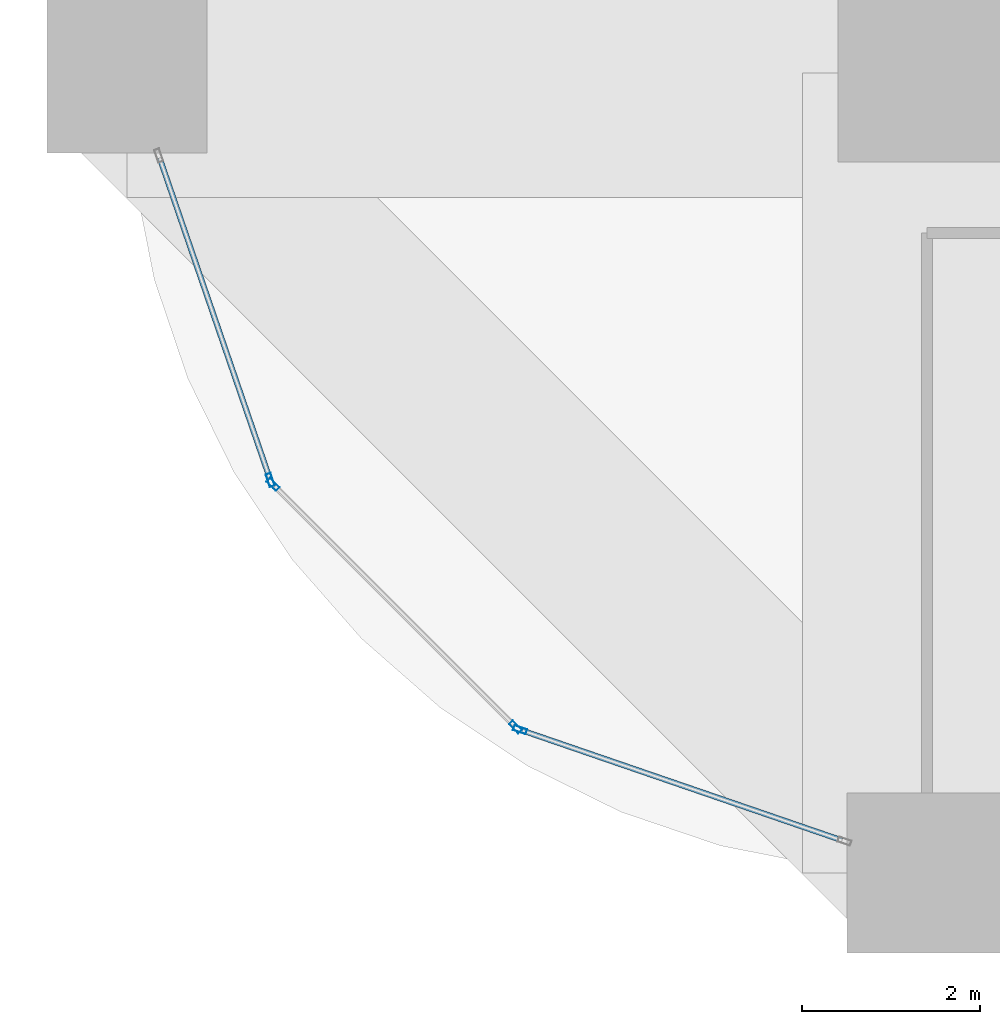
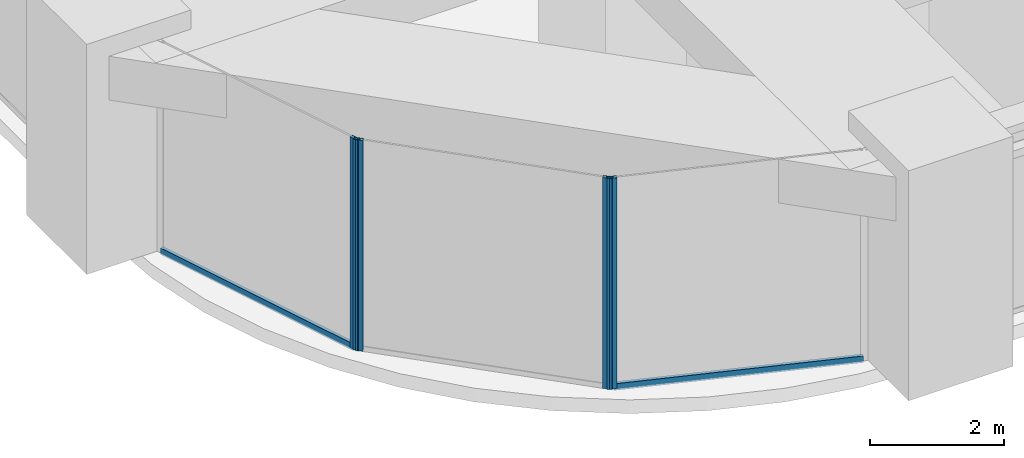
# One storey, part 2 of 45: 6 members, 3 elements without a shape of their own.
"""IFC4 building model written with IfcOpenShell, lengths in metres."""

from ifc_helpers import new_model, si_unit, direction, frame, origin, origin_2d, place, context, subcontext, project, spatial, hollow_rectangle, extrude, material, material_profile, profile_set, type_object, element, aggregate, save


model = new_model("IFC4")

# Units and contexts
model_context = context("Model", 3, precision=1e-05, world=origin(), true_north=direction((0.0, 1.0)))
body_context = subcontext(model_context, "Body", "Model", "MODEL_VIEW")
ifc_project = project(units=[si_unit("LENGTHUNIT", "METRE"), si_unit("AREAUNIT", "SQUARE_METRE"), si_unit("VOLUMEUNIT", "CUBIC_METRE"), si_unit("PLANEANGLEUNIT", "RADIAN"), si_unit("MASSUNIT", "GRAM", prefix="KILO")], contexts=[model_context])

# Site, building, storey
site_placement = place(None, origin())
site = spatial("IfcSite", under=ifc_project, at=site_placement, CompositionType="ELEMENT")
building_placement = place(site_placement, origin())
building = spatial("IfcBuilding", under=site, at=building_placement, Name="Zorevar Civic Tower", CompositionType="ELEMENT")
storey_placement = place(building_placement, frame((0.0, 0.0, 153.0)))
storey = spatial("IfcBuildingStorey", under=building, at=storey_placement, Name="L37", CompositionType="ELEMENT", Elevation=153.0)

# Curtain wall, member
ifc_material_1 = material(Name="Dark grey solar-control glass in black aluminium frame", Category="aluminium")
curtain_wall_type = type_object("IfcCurtainWallType", Name="Curtain wall CW3 mid zone", PredefinedType="NOTDEFINED", material=ifc_material_1)
curtain_wall_1_placement = place(storey_placement, origin())
curtain_wall_1 = element("IfcCurtainWall", 1, at=curtain_wall_1_placement, inside=storey, type_object=curtain_wall_type, Name="CW3 L37", PredefinedType="NOTDEFINED")
ifc_material_2 = material(Name="Aluminium, black anodised", Category="aluminium")
ifc_material_profile_1 = material_profile(ifc_material_2, hollow_rectangle(XDim=0.06005859375, YDim=0.14990234375, WallThickness=0.00390625, at=origin_2d()), Name="AL 150x60x4")
ifc_profile_set_1 = profile_set([ifc_material_profile_1], Name="Aluminium, black anodised")
member_type_1 = type_object("IfcMemberType", Name="CW3 mullion AL 150x60x4", PredefinedType="MULLION", material=ifc_profile_set_1)
member_1_placement = place(storey_placement, frame((1.610595703125, 4.420654296875, 0.0), z_axis=(0.0, 0.0, 1.0), x_axis=(0.945755772794, 0.324878466857, 0.0)))
member_1 = element("IfcMember", 2, at=member_1_placement, type_object=member_type_1, Name="CW3 mullion 2", PredefinedType="MULLION", context=body_context, shape_type="SweptSolid", body=[
    extrude(hollow_rectangle(XDim=0.06005859375, YDim=0.14990234375, WallThickness=0.00390625, at=origin_2d()), origin(), (0.0, 0.0, 1.0), 3.85009765625),
])

# Curtain wall, members
curtain_wall_2_placement = place(storey_placement, origin())
curtain_wall_2 = element("IfcCurtainWall", 3, at=curtain_wall_2_placement, inside=storey, type_object=curtain_wall_type, Name="CW3 L37", PredefinedType="NOTDEFINED")
member_2_placement = place(storey_placement, frame((1.6416015625, 4.37109375, 0.0), z_axis=(0.0, 0.0, 1.0), x_axis=(0.707106781187, 0.707106781187, 0.0)))
member_2 = element("IfcMember", 4, at=member_2_placement, type_object=member_type_1, Name="CW3 mullion 1", PredefinedType="MULLION", context=body_context, shape_type="SweptSolid", body=[
    extrude(hollow_rectangle(XDim=0.06005859375, YDim=0.14990234375, WallThickness=0.00390625, at=origin_2d()), origin(), (0.0, 0.0, 1.0), 3.85009765625),
])
member_3_placement = place(storey_placement, frame((4.37109375, 1.6416015625, 0.0), z_axis=(0.0, 0.0, 1.0), x_axis=(0.707106781187, 0.707106781187, 0.0)))
member_3 = element("IfcMember", 5, at=member_3_placement, type_object=member_type_1, Name="CW3 mullion 2", PredefinedType="MULLION", context=body_context, shape_type="SweptSolid", body=[
    extrude(hollow_rectangle(XDim=0.06005859375, YDim=0.14990234375, WallThickness=0.00390625, at=origin_2d()), origin(), (0.0, 0.0, 1.0), 3.85009765625),
])
aggregate(curtain_wall_2, [member_2, member_3])

# Curtain wall, member
curtain_wall_3_placement = place(storey_placement, origin())
curtain_wall_3 = element("IfcCurtainWall", 6, at=curtain_wall_3_placement, inside=storey, type_object=curtain_wall_type, Name="CW3 L37", PredefinedType="NOTDEFINED")
member_4_placement = place(storey_placement, frame((4.420654296875, 1.610595703125, 0.0), z_axis=(0.0, 0.0, 1.0), x_axis=(0.324878466857, 0.945755772794, 0.0)))
member_4 = element("IfcMember", 7, at=member_4_placement, type_object=member_type_1, Name="CW3 mullion 1", PredefinedType="MULLION", context=body_context, shape_type="SweptSolid", body=[
    extrude(hollow_rectangle(XDim=0.06005859375, YDim=0.14990234375, WallThickness=0.00390625, at=origin_2d()), origin(), (0.0, 0.0, 1.0), 3.85009765625),
])

# Member
ifc_material_3 = material(Name="Aluminium, black anodised", Category="aluminium")
ifc_material_profile_2 = material_profile(ifc_material_3, hollow_rectangle(XDim=0.06005859375, YDim=0.1201171875, WallThickness=0.0029296875, at=origin_2d()), Name="AL 120x60x3")
ifc_profile_set_2 = profile_set([ifc_material_profile_2], Name="Aluminium, black anodised")
member_type_2 = type_object("IfcMemberType", Name="CW3 transom AL 120x60x3", PredefinedType="USERDEFINED", material=ifc_profile_set_2)
member_5_placement = place(storey_placement, frame((0.3662109375, 8.043212890625, 0.030029296875), z_axis=(0.324887643602, -0.945752620422, 0.0), x_axis=(0.945752620422, 0.324887643602, 0.0)))
member_5 = element("IfcMember", 8, at=member_5_placement, type_object=member_type_2, Name="CW3 sill transom", ObjectType="TRANSOM", PredefinedType="USERDEFINED", context=body_context, shape_type="SweptSolid", body=[
    extrude(hollow_rectangle(XDim=0.06005859375, YDim=0.1201171875, WallThickness=0.0029296875, at=origin_2d()), origin(), (0.0, 0.0, 1.0), 3.800048828125),
])

aggregate(curtain_wall_1, [member_1, member_5])

member_6_placement = place(storey_placement, frame((4.44921875, 1.600830078125, 0.030029296875), z_axis=(0.945752620422, -0.324887643602, 0.0), x_axis=(0.324887643602, 0.945752620422, 0.0)))
member_6 = element("IfcMember", 9, at=member_6_placement, type_object=member_type_2, Name="CW3 sill transom", ObjectType="TRANSOM", PredefinedType="USERDEFINED", context=body_context, shape_type="SweptSolid", body=[
    extrude(hollow_rectangle(XDim=0.06005859375, YDim=0.1201171875, WallThickness=0.0029296875, at=origin_2d()), origin(), (0.0, 0.0, 1.0), 3.800048828125),
])

aggregate(curtain_wall_3, [member_4, member_6])

save(model, "model.ifc")
